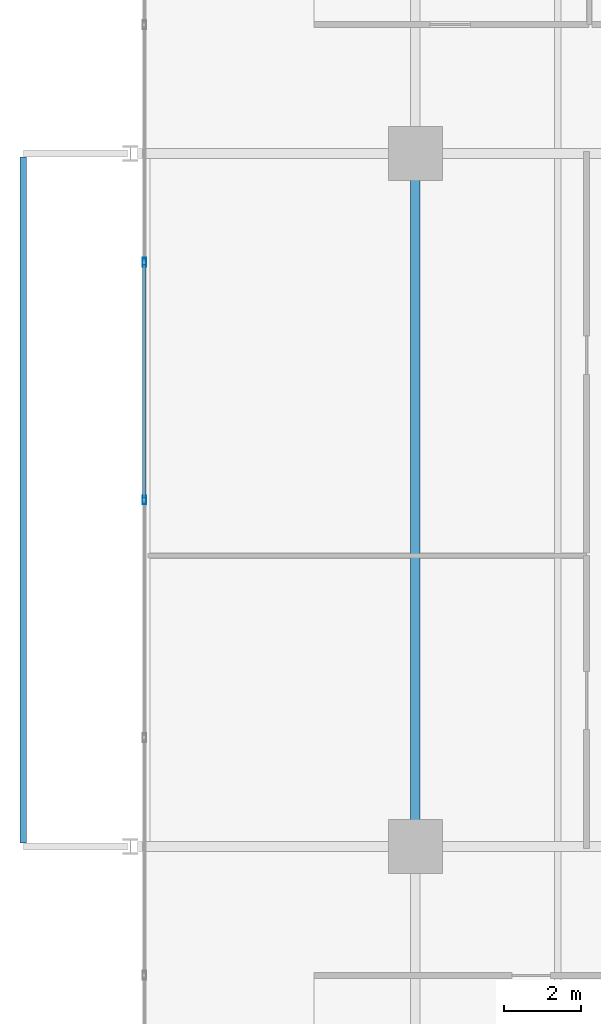
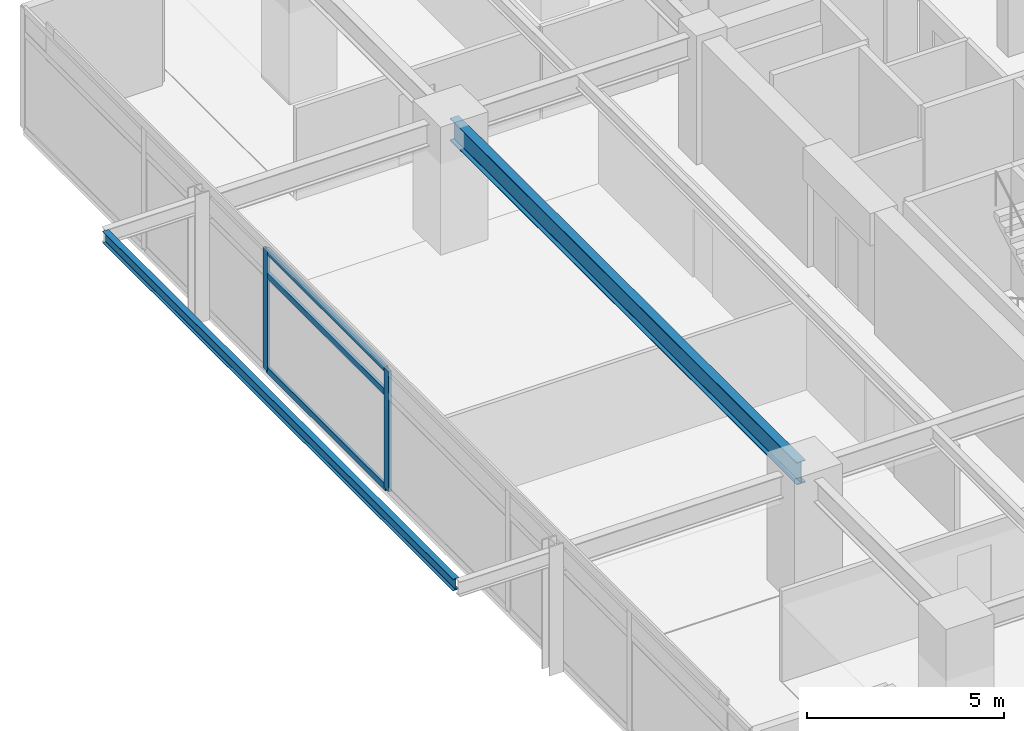
# One storey, part 7 of 21: 5 members, 2 beams, 1 element without a shape of its own.
"""IFC4 building model written with IfcOpenShell, lengths in metres."""

from ifc_helpers import new_model, si_unit, direction, frame, origin, origin_2d, place, context, subcontext, project, spatial, hollow_rectangle, i_section, extrude, material, material_profile, profile_set, type_object, element, aggregate, save


model = new_model("IFC4")

# Units and contexts
model_context = context("Model", 3, precision=1e-05, world=origin(), true_north=direction((0.0, 1.0)))
body_context = subcontext(model_context, "Body", "Model", "MODEL_VIEW")
ifc_project = project(units=[si_unit("LENGTHUNIT", "METRE"), si_unit("AREAUNIT", "SQUARE_METRE"), si_unit("VOLUMEUNIT", "CUBIC_METRE"), si_unit("PLANEANGLEUNIT", "RADIAN"), si_unit("MASSUNIT", "GRAM", prefix="KILO")], contexts=[model_context])

# Site, building, storey
site_placement = place(None, origin())
site = spatial("IfcSite", under=ifc_project, at=site_placement, CompositionType="ELEMENT")
building_placement = place(site_placement, origin())
building = spatial("IfcBuilding", under=site, at=building_placement, Name="Kovane Verandah Tower", CompositionType="ELEMENT")
storey_placement = place(building_placement, frame((0.0, 0.0, 217.199951171875)))
storey = spatial("IfcBuildingStorey", under=building, at=storey_placement, Name="L50", CompositionType="ELEMENT", Elevation=217.199951171875)

# Beam
ifc_material_1 = material(Name="Steel S355", Category="steel")
ifc_material_profile_1 = material_profile(ifc_material_1, i_section(OverallWidth=0.255859375, OverallDepth=0.69287109375, WebThickness=0.014404296875, FlangeThickness=0.023681640625, FilletRadius=0.01513671875, at=origin_2d()), Name="UB686x254x170")
ifc_profile_set_1 = profile_set([ifc_material_profile_1], Name="Steel S355")
beam_type_1 = type_object("IfcBeamType", Name="BM-UB686x170", PredefinedType="BEAM", material=ifc_profile_set_1)
beam_1_placement = place(storey_placement, frame((21.60009765625, 18.679931640625, 3.428466796875), z_axis=(0.0, 1.0, 0.0), x_axis=(-1.0, 0.0, 0.0)))
element("IfcBeam", 1, at=beam_1_placement, inside=storey, type_object=beam_type_1, Name="L50 Primary Tower Girder G-RW2", PredefinedType="BEAM", context=body_context, shape_type="SweptSolid", body=[
    extrude(i_section(OverallWidth=0.255859375, OverallDepth=0.69287109375, WebThickness=0.014404296875, FlangeThickness=0.023681640625, FilletRadius=0.01513671875, at=origin_2d()), origin(), (0.0, 0.0, 1.0), 17.64013671875),
])

# Curtain wall, members
ifc_material_2 = material(Name="Champagne Anodised Aluminium Frame with Low-E Clear Laminated Glass", Category="aluminium")
curtain_wall_type = type_object("IfcCurtainWallType", Name="CW-SYS-03-MID", PredefinedType="NOTDEFINED", material=ifc_material_2)
curtain_wall_placement = place(storey_placement, origin())
curtain_wall = element("IfcCurtainWall", 2, at=curtain_wall_placement, inside=storey, type_object=curtain_wall_type, Name="L50 W Unitised Curtain Wall", PredefinedType="NOTDEFINED")
ifc_material_3 = material(Name="Champagne Anodised Aluminium 6063-T6", Category="aluminium")
ifc_material_profile_2 = material_profile(ifc_material_3, hollow_rectangle(XDim=0.0849609375, YDim=0.22998046875, WallThickness=0.00390625, at=origin_2d()), Name="AL85x230x4")
ifc_profile_set_2 = profile_set([ifc_material_profile_2], Name="Champagne Anodised Aluminium 6063-T6")
member_type_1 = type_object("IfcMemberType", Name="CW-MUL-85x230", PredefinedType="MULLION", material=ifc_profile_set_2)
member_1_placement = place(storey_placement, frame((14.5625, 33.67138671875, 0.02001953125), z_axis=(0.0, 0.0, 1.0), x_axis=(-1.0, 0.0, 0.0)))
member_1 = element("IfcMember", 3, at=member_1_placement, type_object=member_type_1, Name="L50 W Unitised Curtain Wall Mullion 3", PredefinedType="MULLION", context=body_context, shape_type="SweptSolid", body=[
    extrude(hollow_rectangle(XDim=0.0849609375, YDim=0.22998046875, WallThickness=0.00390625, at=origin_2d()), origin(), (0.0, 0.0, 1.0), 3.735107421875),
])
member_2_placement = place(storey_placement, frame((14.5625, 27.5, 0.02001953125), z_axis=(0.0, 0.0, 1.0), x_axis=(-1.0, 0.0, 0.0)))
member_2 = element("IfcMember", 4, at=member_2_placement, type_object=member_type_1, Name="L50 W Unitised Curtain Wall Mullion 4", PredefinedType="MULLION", context=body_context, shape_type="SweptSolid", body=[
    extrude(hollow_rectangle(XDim=0.0849609375, YDim=0.22998046875, WallThickness=0.00390625, at=origin_2d()), origin(), (0.0, 0.0, 1.0), 3.735107421875),
])
ifc_material_profile_3 = material_profile(ifc_material_3, hollow_rectangle(XDim=0.0849609375, YDim=0.18994140625, WallThickness=0.00390625, at=origin_2d()), Name="AL85x190x4")
ifc_profile_set_3 = profile_set([ifc_material_profile_3], Name="Champagne Anodised Aluminium 6063-T6")
member_type_2 = type_object("IfcMemberType", Name="CW-TRN-85x190", PredefinedType="USERDEFINED", material=ifc_profile_set_3)
member_3_placement = place(storey_placement, frame((14.5625, 33.621337890625, 0.050048828125), z_axis=(0.0, -1.0, 0.0), x_axis=(1.0, 0.0, 0.0)))
member_3 = element("IfcMember", 5, at=member_3_placement, type_object=member_type_2, Name="L50 W Unitised Curtain Wall Transom TB Bay 3", ObjectType="TRANSOM", PredefinedType="USERDEFINED", context=body_context, shape_type="SweptSolid", body=[
    extrude(hollow_rectangle(XDim=0.0849609375, YDim=0.18994140625, WallThickness=0.00390625, at=origin_2d()), origin(), (0.0, 0.0, 1.0), 6.0712890625),
])
member_4_placement = place(storey_placement, frame((14.5625, 33.621337890625, 2.9951171875), z_axis=(0.0, -1.0, 0.0), x_axis=(1.0, 0.0, 0.0)))
member_4 = element("IfcMember", 6, at=member_4_placement, type_object=member_type_2, Name="L50 W Unitised Curtain Wall Transom TM Bay 3", ObjectType="TRANSOM", PredefinedType="USERDEFINED", context=body_context, shape_type="SweptSolid", body=[
    extrude(hollow_rectangle(XDim=0.0849609375, YDim=0.18994140625, WallThickness=0.00390625, at=origin_2d()), origin(), (0.0, 0.0, 1.0), 6.0712890625),
])
member_5_placement = place(storey_placement, frame((14.5625, 33.621337890625, 3.72509765625), z_axis=(0.0, -1.0, 0.0), x_axis=(1.0, 0.0, 0.0)))
member_5 = element("IfcMember", 7, at=member_5_placement, type_object=member_type_2, Name="L50 W Unitised Curtain Wall Transom TT Bay 3", ObjectType="TRANSOM", PredefinedType="USERDEFINED", context=body_context, shape_type="SweptSolid", body=[
    extrude(hollow_rectangle(XDim=0.0849609375, YDim=0.18994140625, WallThickness=0.00390625, at=origin_2d()), origin(), (0.0, 0.0, 1.0), 6.0712890625),
])
aggregate(curtain_wall, [member_1, member_2, member_3, member_4, member_5])

# Beam
ifc_material_profile_4 = material_profile(ifc_material_1, i_section(OverallWidth=0.173095703125, OverallDepth=0.36328125, WebThickness=0.009033203125, FlangeThickness=0.015625, FilletRadius=0.01025390625, at=origin_2d()), Name="UB356x171x67")
ifc_profile_set_4 = profile_set([ifc_material_profile_4], Name="Steel S355")
beam_type_2 = type_object("IfcBeamType", Name="SPD-UB356x67", PredefinedType="USERDEFINED", material=ifc_profile_set_4)
beam_2_placement = place(storey_placement, frame((11.418701171875, 18.594482421875, 3.578369140625), z_axis=(0.0, 1.0, 0.0), x_axis=(-1.0, 0.0, 0.0)))
element("IfcBeam", 8, at=beam_2_placement, inside=storey, type_object=beam_type_2, Name="L50 West Planter Edge Spandrel", ObjectType="SPANDREL", PredefinedType="USERDEFINED", context=body_context, shape_type="SweptSolid", body=[
    extrude(i_section(OverallWidth=0.173095703125, OverallDepth=0.36328125, WebThickness=0.009033203125, FlangeThickness=0.015625, FilletRadius=0.01025390625, at=origin_2d()), origin(), (0.0, 0.0, 1.0), 17.81103515625),
])

save(model, "model.ifc")
